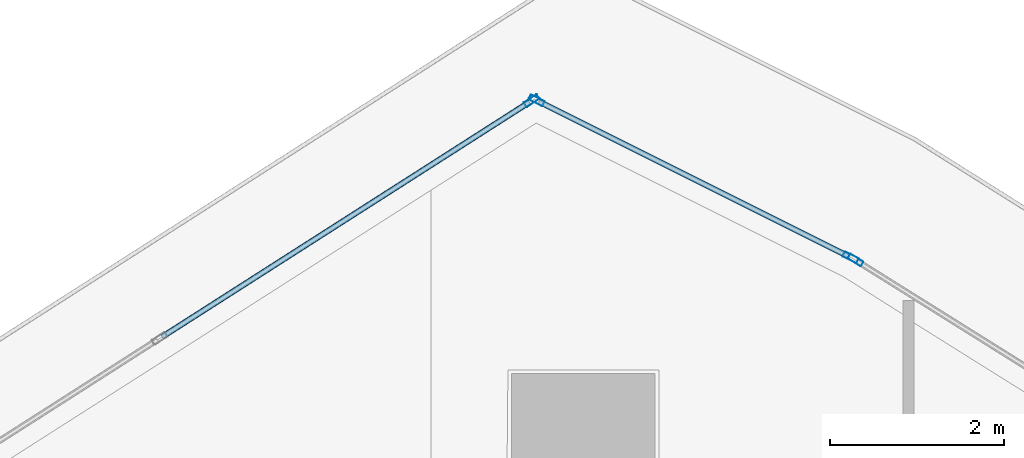
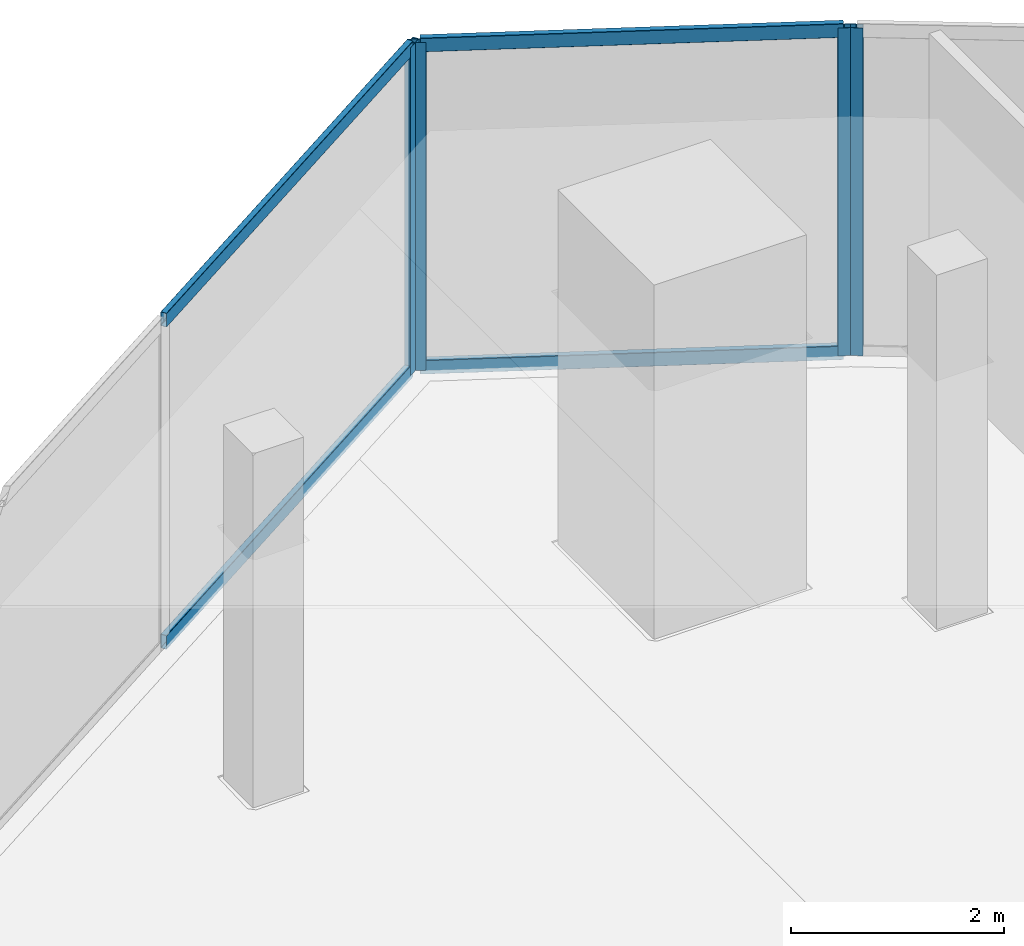
# One storey, part 23 of 34: 8 members, 3 elements without a shape of their own.
"""IFC4 building model written with IfcOpenShell, lengths in metres."""

from ifc_helpers import new_model, si_unit, direction, frame, origin, origin_2d, place, context, subcontext, project, spatial, hollow_rectangle, extrude, material, layer, layer_set, material_profile, profile_set, type_object, element, aggregate, save


model = new_model("IFC4")

# Units and contexts
model_context = context("Model", 3, precision=1e-05, world=origin(), true_north=direction((0.0, 1.0)))
body_context = subcontext(model_context, "Body", "Model", "MODEL_VIEW")
ifc_project = project(units=[si_unit("LENGTHUNIT", "METRE"), si_unit("AREAUNIT", "SQUARE_METRE"), si_unit("VOLUMEUNIT", "CUBIC_METRE"), si_unit("PLANEANGLEUNIT", "RADIAN"), si_unit("MASSUNIT", "GRAM", prefix="KILO")], contexts=[model_context])

# Site, building, storey
site_placement = place(None, origin())
site = spatial("IfcSite", under=ifc_project, at=site_placement, CompositionType="ELEMENT")
building_placement = place(site_placement, origin())
building = spatial("IfcBuilding", under=site, at=building_placement, Name="Qorvath Tower", CompositionType="ELEMENT")
storey_placement = place(building_placement, frame((0.0, 0.0, 245.550048828125)))
storey = spatial("IfcBuildingStorey", under=building, at=storey_placement, Name="L57", CompositionType="ELEMENT", Elevation=245.550048828125)

# Curtain wall, member
ifc_material_1 = material(Name="Anodised aluminium and triple low-E glass", Category="aluminium")
ifc_layer = layer(ifc_material_1, 0.179931640625)
ifc_layer_set = layer_set([ifc_layer], Name="CW-SYS-3")
curtain_wall_type = type_object("IfcCurtainWallType", Name="CW-SYS-3", PredefinedType="NOTDEFINED", material=ifc_layer_set)
curtain_wall_1_placement = place(storey_placement, origin())
curtain_wall_1 = element("IfcCurtainWall", 1, at=curtain_wall_1_placement, inside=storey, type_object=curtain_wall_type, Name="Curtain Wall CW-3 CW-T-L57-14.1", PredefinedType="NOTDEFINED")
ifc_material_2 = material(Name="Anodised aluminium 6063-T6", Category="aluminium")
ifc_material_profile_1 = material_profile(ifc_material_2, hollow_rectangle(XDim=0.06494140625, YDim=0.179931640625, WallThickness=0.00341796875, InnerFilletRadius=0.00341796875, OuterFilletRadius=0.007080078125, at=origin_2d()), Name="CWM 180x65")
ifc_profile_set_1 = profile_set([ifc_material_profile_1], Name="Anodised aluminium 6063-T6")
member_type_1 = type_object("IfcMemberType", Name="CWM-180", PredefinedType="MULLION", material=ifc_profile_set_1)
member_1_placement = place(storey_placement, frame((-13.741943359375, 23.832275390625, 0.0), z_axis=(0.0, 0.0, 1.0), x_axis=(-0.530487138359, -0.847692984538, 0.0)))
member_1 = element("IfcMember", 2, at=member_1_placement, type_object=member_type_1, Name="CW-3 mullion 2", PredefinedType="MULLION", context=body_context, shape_type="SweptSolid", body=[
    extrude(hollow_rectangle(XDim=0.06494140625, YDim=0.179931640625, WallThickness=0.00341796875, InnerFilletRadius=0.00341796875, OuterFilletRadius=0.007080078125, at=origin_2d()), origin(), (0.0, 0.0, 1.0), 3.75),
])
aggregate(curtain_wall_1, [member_1])

# Curtain wall, members
curtain_wall_2_placement = place(storey_placement, origin())
curtain_wall_2 = element("IfcCurtainWall", 3, at=curtain_wall_2_placement, inside=storey, type_object=curtain_wall_type, Name="Curtain Wall CW-3 CW-T-L57-15.1", PredefinedType="NOTDEFINED")
member_2_placement = place(storey_placement, frame((-13.798583984375, 23.864013671875, 0.0), z_axis=(0.0, 0.0, 1.0), x_axis=(-0.447174591616, -0.894446691879, 0.0)))
member_2 = element("IfcMember", 4, at=member_2_placement, type_object=member_type_1, Name="CW-3 mullion 1", PredefinedType="MULLION", context=body_context, shape_type="SweptSolid", body=[
    extrude(hollow_rectangle(XDim=0.06494140625, YDim=0.179931640625, WallThickness=0.00341796875, InnerFilletRadius=0.00341796875, OuterFilletRadius=0.007080078125, at=origin_2d()), origin(), (0.0, 0.0, 1.0), 3.75),
])
member_3_placement = place(storey_placement, frame((-17.40966796875, 25.669189453125, 0.0), z_axis=(0.0, 0.0, 1.0), x_axis=(-0.447174591616, -0.894446691879, 0.0)))
member_3 = element("IfcMember", 5, at=member_3_placement, type_object=member_type_1, Name="CW-3 mullion 2", PredefinedType="MULLION", context=body_context, shape_type="SweptSolid", body=[
    extrude(hollow_rectangle(XDim=0.06494140625, YDim=0.179931640625, WallThickness=0.00341796875, InnerFilletRadius=0.00341796875, OuterFilletRadius=0.007080078125, at=origin_2d()), origin(), (0.0, 0.0, 1.0), 3.75),
])

# Curtain wall, member
curtain_wall_3_placement = place(storey_placement, origin())
curtain_wall_3 = element("IfcCurtainWall", 6, at=curtain_wall_3_placement, inside=storey, type_object=curtain_wall_type, Name="Curtain Wall CW-3 CW-T-L57-16.1", PredefinedType="NOTDEFINED")
member_4_placement = place(storey_placement, frame((-17.466064453125, 25.666259765625, 0.0), z_axis=(0.0, 0.0, 1.0), x_axis=(0.538527235977, -0.842608103516, 0.0)))
member_4 = element("IfcMember", 7, at=member_4_placement, type_object=member_type_1, Name="CW-3 mullion 1", PredefinedType="MULLION", context=body_context, shape_type="SweptSolid", body=[
    extrude(hollow_rectangle(XDim=0.06494140625, YDim=0.179931640625, WallThickness=0.00341796875, InnerFilletRadius=0.00341796875, OuterFilletRadius=0.007080078125, at=origin_2d()), origin(), (0.0, 0.0, 1.0), 3.75),
])

# Member
ifc_material_3 = material(Name="Anodised aluminium 6063-T6", Category="aluminium")
ifc_material_profile_2 = material_profile(ifc_material_3, hollow_rectangle(XDim=0.06494140625, YDim=0.159912109375, WallThickness=0.00341796875, InnerFilletRadius=0.00341796875, OuterFilletRadius=0.007080078125, at=origin_2d()), Name="CWT 160x65")
ifc_profile_set_2 = profile_set([ifc_material_profile_2], Name="Anodised aluminium 6063-T6")
member_type_2 = type_object("IfcMemberType", Name="CWT-160", PredefinedType="USERDEFINED", material=ifc_profile_set_2)
member_5_placement = place(storey_placement, frame((-13.82763671875, 23.87841796875, 0.032470703125), z_axis=(-0.894439482828, 0.447189010998, 0.0), x_axis=(-0.447189010998, -0.894439482828, 0.0)))
member_5 = element("IfcMember", 8, at=member_5_placement, type_object=member_type_2, Name="CW-3 transom 1.1", ObjectType="TRANSOM", PredefinedType="USERDEFINED", context=body_context, shape_type="SweptSolid", body=[
    extrude(hollow_rectangle(XDim=0.06494140625, YDim=0.159912109375, WallThickness=0.00341796875, InnerFilletRadius=0.00341796875, OuterFilletRadius=0.007080078125, at=origin_2d()), origin(), (0.0, 0.0, 1.0), 3.972412109375),
])

member_6_placement = place(storey_placement, frame((-13.82763671875, 23.87841796875, 3.717529296875), z_axis=(-0.894439482828, 0.447189010998, 0.0), x_axis=(-0.447189010998, -0.894439482828, 0.0)))
member_6 = element("IfcMember", 9, at=member_6_placement, type_object=member_type_2, Name="CW-3 transom 1.2", ObjectType="TRANSOM", PredefinedType="USERDEFINED", context=body_context, shape_type="SweptSolid", body=[
    extrude(hollow_rectangle(XDim=0.06494140625, YDim=0.159912109375, WallThickness=0.00341796875, InnerFilletRadius=0.00341796875, OuterFilletRadius=0.007080078125, at=origin_2d()), origin(), (0.0, 0.0, 1.0), 3.972412109375),
])

aggregate(curtain_wall_2, [member_2, member_3, member_5, member_6])

member_7_placement = place(storey_placement, frame((-17.493408203125, 25.648681640625, 0.032470703125), z_axis=(-0.842626877027, -0.538497860823, 0.0), x_axis=(0.538497860823, -0.842626877027, 0.0)))
member_7 = element("IfcMember", 10, at=member_7_placement, type_object=member_type_2, Name="CW-3 transom 1.1", ObjectType="TRANSOM", PredefinedType="USERDEFINED", context=body_context, shape_type="SweptSolid", body=[
    extrude(hollow_rectangle(XDim=0.06494140625, YDim=0.159912109375, WallThickness=0.00341796875, InnerFilletRadius=0.00341796875, OuterFilletRadius=0.007080078125, at=origin_2d()), origin(), (0.0, 0.0, 1.0), 5.011474609375),
])

member_8_placement = place(storey_placement, frame((-17.493408203125, 25.648681640625, 3.717529296875), z_axis=(-0.842626877027, -0.538497860823, 0.0), x_axis=(0.538497860823, -0.842626877027, 0.0)))
member_8 = element("IfcMember", 11, at=member_8_placement, type_object=member_type_2, Name="CW-3 transom 1.2", ObjectType="TRANSOM", PredefinedType="USERDEFINED", context=body_context, shape_type="SweptSolid", body=[
    extrude(hollow_rectangle(XDim=0.06494140625, YDim=0.159912109375, WallThickness=0.00341796875, InnerFilletRadius=0.00341796875, OuterFilletRadius=0.007080078125, at=origin_2d()), origin(), (0.0, 0.0, 1.0), 5.011474609375),
])

aggregate(curtain_wall_3, [member_4, member_7, member_8])

save(model, "model.ifc")
